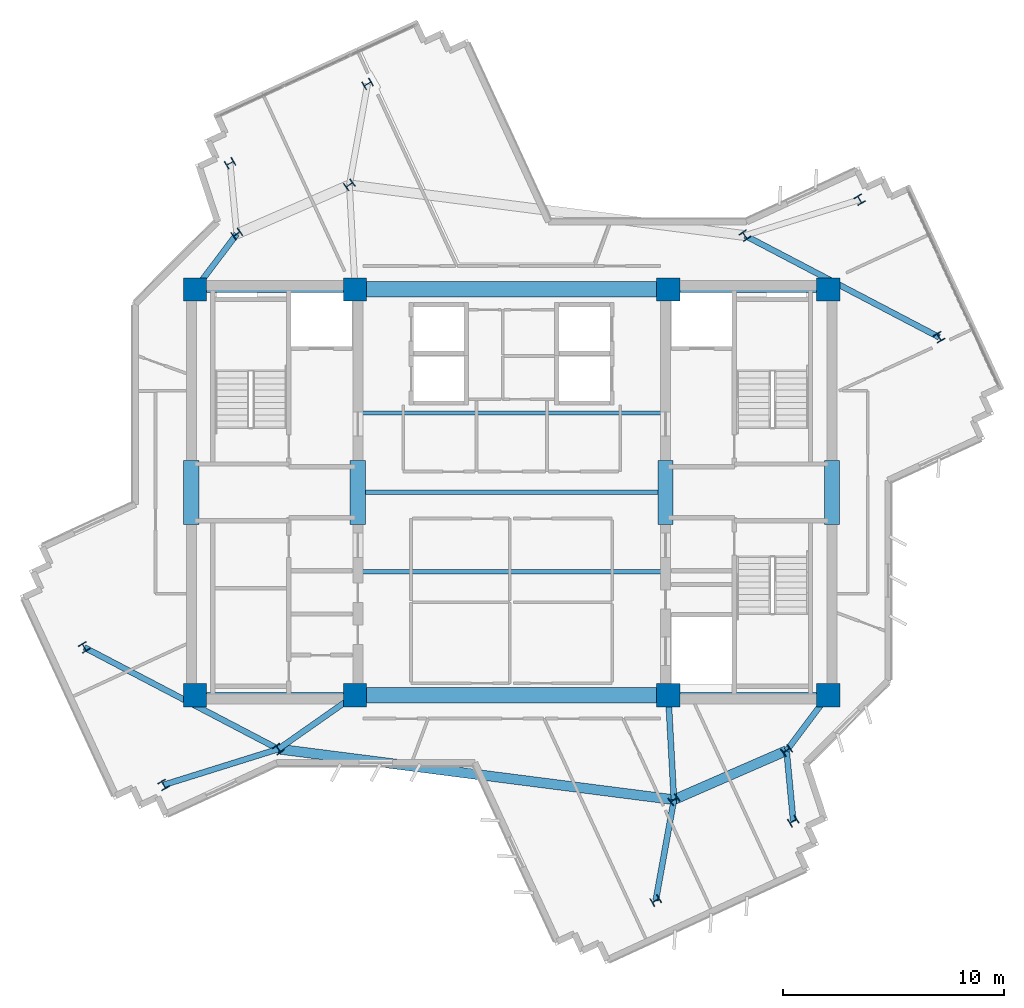
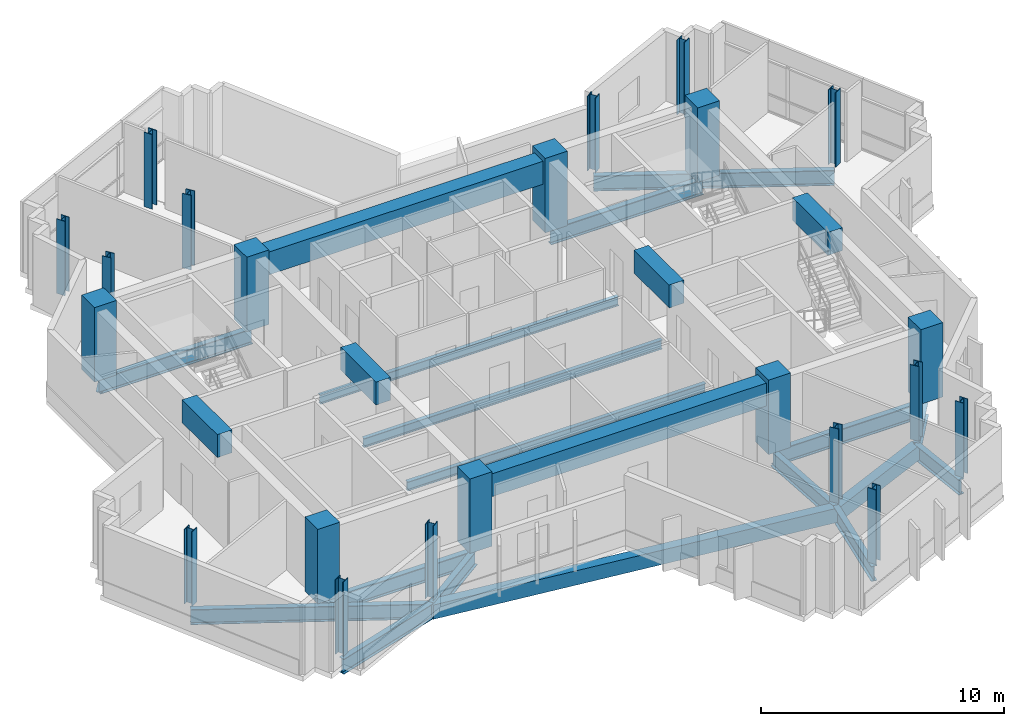
# One storey, part 1 of 12: 24 beams, 22 columns.
"""IFC4 building model written with IfcOpenShell, lengths in metres."""

from ifc_helpers import new_model, si_unit, direction, frame, origin, origin_2d, place, context, subcontext, project, spatial, rectangle, i_section, extrude, source, transform, mapped, material, material_profile, profile_set, type_object, element, save


model = new_model("IFC4")

# Units and contexts
model_context = context("Model", 3, precision=1e-05, world=origin(), true_north=direction((0.0, 1.0)))
body_context = subcontext(model_context, "Body", "Model", "MODEL_VIEW")
ifc_project = project(units=[si_unit("LENGTHUNIT", "METRE"), si_unit("AREAUNIT", "SQUARE_METRE"), si_unit("VOLUMEUNIT", "CUBIC_METRE"), si_unit("PLANEANGLEUNIT", "RADIAN"), si_unit("MASSUNIT", "GRAM", prefix="KILO")], contexts=[model_context])

# Site, building, storey
site_placement = place(None, origin())
site = spatial("IfcSite", under=ifc_project, at=site_placement, CompositionType="ELEMENT")
building_placement = place(site_placement, origin())
building = spatial("IfcBuilding", under=site, at=building_placement, Name="Zahravan Cultural Tower", CompositionType="ELEMENT")
storey_placement = place(building_placement, frame((0.0, 0.0, 242.85009765625)))
storey = spatial("IfcBuildingStorey", under=building, at=storey_placement, Name="L57", CompositionType="ELEMENT", Elevation=242.85009765625)

# Columns
ifc_material_1 = material(Name="Concrete C50/60", Category="concrete")
ifc_material_profile_1 = material_profile(ifc_material_1, rectangle(XDim=1.050048828125, YDim=1.050048828125, at=origin_2d()), Name="RC1050X1050")
ifc_profile_set_1 = profile_set([ifc_material_profile_1], Name="Concrete C50/60")
column_type_1 = type_object("IfcColumnType", Name="COL-RC1050", PredefinedType="COLUMN", material=ifc_profile_set_1)
shared_shape_1 = source(origin(), body_context, "Body", "SweptSolid", [
    extrude(rectangle(XDim=1.050048828125, YDim=1.050048828125, at=origin_2d()), origin(), (0.0, 0.0, 1.0), 3.75),
])
for number, where, z_axis, x_axis, name in (
    (1, (21.64990234375, 17.800048828125, 0.0), (0.0, 0.0, 1.0), (1.0, 0.0, 0.0), "L57 Column CC-W1"),
    (2, (28.89990234375, 17.800048828125, 0.0), (0.0, 0.0, 1.0), (1.0, 0.0, 0.0), "L57 Column CC-W2"),
    (3, (21.64990234375, 36.199951171875, 0.0), (0.0, 0.0, 1.0), (1.0, 0.0, 0.0), "L57 Column CC-W3"),
    (4, (28.89990234375, 36.199951171875, 0.0), (0.0, 0.0, 1.0), (1.0, 0.0, 0.0), "L57 Column CC-W4"),
    (5, (43.10009765625, 17.800048828125, 0.0), (0.0, 0.0, 1.0), (1.0, 0.0, 0.0), "L57 Column CC-E1"),
    (6, (50.35009765625, 17.800048828125, 0.0), (0.0, 0.0, 1.0), (1.0, 0.0, 0.0), "L57 Column CC-E2"),
    (7, (43.10009765625, 36.199951171875, 0.0), (0.0, 0.0, 1.0), (1.0, 0.0, 0.0), "L57 Column CC-E3"),
    (8, (50.35009765625, 36.199951171875, 0.0), (0.0, 0.0, 1.0), (1.0, 0.0, 0.0), "L57 Column CC-E4"),
):
    element("IfcColumn", number, at=place(storey_placement, frame(where, z_axis=z_axis, x_axis=x_axis)), inside=storey, type_object=column_type_1, Name=name, PredefinedType="COLUMN", context=body_context, shape_type="MappedRepresentation", body=[
        mapped(shared_shape_1, transform((0.0, 0.0, 0.0), x_axis=(1.0, 0.0, 0.0), y_axis=(0.0, 1.0, 0.0), z_axis=(0.0, 0.0, 1.0), scale=1.0)),
    ])
ifc_material_2 = material(Name="Steel ASTM A992 Grade 50", Category="steel")
ifc_material_profile_2 = material_profile(ifc_material_2, i_section(OverallWidth=0.39892578125, OverallDepth=0.385986328125, WebThickness=0.02099609375, FlangeThickness=0.033203125, FilletRadius=0.01806640625, at=origin_2d()), Name="W14X176")
ifc_profile_set_2 = profile_set([ifc_material_profile_2], Name="Steel ASTM A992 Grade 50")
column_type_2 = type_object("IfcColumnType", Name="COL-W14X176", PredefinedType="COLUMN", material=ifc_profile_set_2)
shared_shape_2 = source(origin(), body_context, "Body", "SweptSolid", [
    extrude(i_section(OverallWidth=0.39892578125, OverallDepth=0.385986328125, WebThickness=0.02099609375, FlangeThickness=0.033203125, FilletRadius=0.01806640625, at=origin_2d()), origin(), (0.0, 0.0, 1.0), 3.75),
])
for number, where, z_axis, x_axis, name in (
    (9, (46.577880859375, 38.640625, 0.0), (0.0, 0.0, 1.0), (0.809016994375, 0.587785252292, 0.0), "L57 Column Z3C-E2"),
    (10, (28.642578125, 40.937255859375, 0.0), (0.0, 0.0, 1.0), (-0.587785252292, 0.809016994375, 0.0), "L57 Column Z3C-N1"),
    (11, (23.536376953125, 38.710693359375, 0.0), (0.0, 0.0, 1.0), (-0.587785252292, 0.809016994375, 0.0), "L57 Column Z3C-N2"),
    (12, (25.422119140625, 15.359375, 0.0), (0.0, 0.0, 1.0), (0.809016994375, 0.587785252292, 0.0), "L57 Column Z3C-W2"),
    (13, (43.357421875, 13.062744140625, 0.0), (0.0, 0.0, 1.0), (-0.587785252292, 0.809016994375, 0.0), "L57 Column Z3C-S1"),
    (14, (48.463623046875, 15.289306640625, 0.0), (0.0, 0.0, 1.0), (-0.587785252292, 0.809016994375, 0.0), "L57 Column Z3C-S2"),
    (15, (55.38037109375, 34.0322265625, 0.0), (0.0, 0.0, 1.0), (0.866025403784, 0.5, 0.0), "L57 Column Z3T-E1"),
    (16, (51.7802734375, 40.267578125, 0.0), (0.0, 0.0, 1.0), (0.866025403784, 0.5, 0.0), "L57 Column Z3T-E2"),
    (17, (29.4677734375, 45.514404296875, 0.0), (0.0, 0.0, 1.0), (-0.5, 0.866025403784, 0.0), "L57 Column Z3T-N1"),
    (18, (23.232421875, 41.914306640625, 0.0), (0.0, 0.0, 1.0), (-0.5, 0.866025403784, 0.0), "L57 Column Z3T-N2"),
    (19, (16.61962890625, 19.9677734375, 0.0), (0.0, 0.0, 1.0), (0.866025403784, 0.5, 0.0), "L57 Column Z3T-W1"),
    (20, (20.2197265625, 13.732421875, 0.0), (0.0, 0.0, 1.0), (0.866025403784, 0.5, 0.0), "L57 Column Z3T-W2"),
    (21, (42.5322265625, 8.485595703125, 0.0), (0.0, 0.0, 1.0), (-0.5, 0.866025403784, 0.0), "L57 Column Z3T-S1"),
    (22, (48.767578125, 12.085693359375, 0.0), (0.0, 0.0, 1.0), (-0.5, 0.866025403784, 0.0), "L57 Column Z3T-S2"),
):
    element("IfcColumn", number, at=place(storey_placement, frame(where, z_axis=z_axis, x_axis=x_axis)), inside=storey, type_object=column_type_2, Name=name, PredefinedType="COLUMN", context=body_context, shape_type="MappedRepresentation", body=[
        mapped(shared_shape_2, transform((0.0, 0.0, 0.0), x_axis=(1.0, 0.0, 0.0), y_axis=(0.0, 1.0, 0.0), z_axis=(0.0, 0.0, 1.0), scale=1.0)),
    ])

# Beams
ifc_material_profile_3 = material_profile(ifc_material_1, rectangle(XDim=0.699951171875, YDim=1.14990234375, at=origin_2d()), Name="RC700X1150")
ifc_profile_set_3 = profile_set([ifc_material_profile_3], Name="Concrete C50/60")
beam_type_1 = type_object("IfcBeamType", Name="BM-LN-RC700X1150", PredefinedType="LINTEL", material=ifc_profile_set_3)
shared_shape_3 = source(origin(), body_context, "Body", "SweptSolid", [
    extrude(rectangle(XDim=0.699951171875, YDim=1.14990234375, at=origin_2d()), origin(), (0.0, 0.0, 1.0), 14.2001953125),
])
for number, where, z_axis, x_axis, name in (
    (23, (28.89990234375, 17.800048828125, 2.9248046875), (1.0, 0.0, 0.0), (0.0, 1.0, 0.0), "L57 Beam LN-L57-S"),
    (24, (28.89990234375, 36.199951171875, 2.9248046875), (1.0, 0.0, 0.0), (0.0, 1.0, 0.0), "L57 Beam LN-L57-N"),
):
    element("IfcBeam", number, at=place(storey_placement, frame(where, z_axis=z_axis, x_axis=x_axis)), inside=storey, type_object=beam_type_1, Name=name, PredefinedType="LINTEL", context=body_context, shape_type="MappedRepresentation", body=[
        mapped(shared_shape_3, transform((0.0, 0.0, 0.0), x_axis=(1.0, 0.0, 0.0), y_axis=(0.0, 1.0, 0.0), z_axis=(0.0, 0.0, 1.0), scale=1.0)),
    ])
shared_shape_4 = source(origin(), body_context, "Body", "SweptSolid", [
    extrude(rectangle(XDim=0.699951171875, YDim=1.14990234375, at=origin_2d()), origin(), (0.0, 0.0, 1.0), 2.89990234375),
])
for number, where, z_axis, x_axis, name in (
    (25, (21.47509765625, 25.550048828125, 2.9248046875), (0.0, 1.0, 0.0), (-1.0, 0.0, 0.0), "L57 Beam LN-L57-PWW"),
    (26, (29.02490234375, 25.550048828125, 2.9248046875), (0.0, 1.0, 0.0), (-1.0, 0.0, 0.0), "L57 Beam LN-L57-PWE"),
    (27, (42.97509765625, 25.550048828125, 2.9248046875), (0.0, 1.0, 0.0), (-1.0, 0.0, 0.0), "L57 Beam LN-L57-PEW"),
    (28, (50.52490234375, 25.550048828125, 2.9248046875), (0.0, 1.0, 0.0), (-1.0, 0.0, 0.0), "L57 Beam LN-L57-PEE"),
):
    element("IfcBeam", number, at=place(storey_placement, frame(where, z_axis=z_axis, x_axis=x_axis)), inside=storey, type_object=beam_type_1, Name=name, PredefinedType="LINTEL", context=body_context, shape_type="MappedRepresentation", body=[
        mapped(shared_shape_4, transform((0.0, 0.0, 0.0), x_axis=(1.0, 0.0, 0.0), y_axis=(0.0, 1.0, 0.0), z_axis=(0.0, 0.0, 1.0), scale=1.0)),
    ])
ifc_material_profile_4 = material_profile(ifc_material_2, i_section(OverallWidth=0.26611328125, OverallDepth=0.780029296875, WebThickness=0.0166015625, FlangeThickness=0.030029296875, FilletRadius=0.01904296875, at=origin_2d()), Name="W30X148")
ifc_profile_set_4 = profile_set([ifc_material_profile_4], Name="Steel ASTM A992 Grade 50")
beam_type_2 = type_object("IfcBeamType", Name="BM-G-W30X148", PredefinedType="BEAM", material=ifc_profile_set_4)
shared_shape_5 = source(origin(), body_context, "Body", "SweptSolid", [
    extrude(i_section(OverallWidth=0.26611328125, OverallDepth=0.780029296875, WebThickness=0.0166015625, FlangeThickness=0.030029296875, FilletRadius=0.01904296875, at=origin_2d()), origin(), (0.0, 0.0, 1.0), 7.25),
])
for number, where, z_axis, x_axis, name in (
    (29, (21.64990234375, 17.800048828125, -0.64013671875), (1.0, 0.0, 0.0), (0.0, 1.0, 0.0), "L57 Beam BG-L57-01"),
    (30, (21.64990234375, 36.199951171875, -0.64013671875), (1.0, 0.0, 0.0), (0.0, 1.0, 0.0), "L57 Beam BG-L57-02"),
    (31, (43.10009765625, 17.800048828125, -0.64013671875), (1.0, 0.0, 0.0), (0.0, 1.0, 0.0), "L57 Beam BG-L57-04"),
    (32, (43.10009765625, 36.199951171875, -0.64013671875), (1.0, 0.0, 0.0), (0.0, 1.0, 0.0), "L57 Beam BG-L57-05"),
):
    element("IfcBeam", number, at=place(storey_placement, frame(where, z_axis=z_axis, x_axis=x_axis)), inside=storey, type_object=beam_type_2, Name=name, PredefinedType="BEAM", context=body_context, shape_type="MappedRepresentation", body=[
        mapped(shared_shape_5, transform((0.0, 0.0, 0.0), x_axis=(1.0, 0.0, 0.0), y_axis=(0.0, 1.0, 0.0), z_axis=(0.0, 0.0, 1.0), scale=1.0)),
    ])
ifc_material_profile_5 = material_profile(ifc_material_2, i_section(OverallWidth=0.26708984375, OverallDepth=0.761962890625, WebThickness=0.014404296875, FlangeThickness=0.021484375, FilletRadius=0.01904296875, at=origin_2d()), Name="W30X116")
ifc_profile_set_5 = profile_set([ifc_material_profile_5], Name="Steel ASTM A992 Grade 50")
beam_type_3 = type_object("IfcBeamType", Name="BM-G-W30X116", PredefinedType="BEAM", material=ifc_profile_set_5)
shared_shape_6 = source(origin(), body_context, "Body", "SweptSolid", [
    extrude(i_section(OverallWidth=0.26708984375, OverallDepth=0.761962890625, WebThickness=0.014404296875, FlangeThickness=0.021484375, FilletRadius=0.01904296875, at=origin_2d()), origin(), (0.0, 0.0, 1.0), 4.248779296875),
])
beam_1_placement = place(storey_placement, frame((28.89990234375, 17.800048828125, -0.631103515625), z_axis=(-0.81854294596, -0.574445337365, 0.0), x_axis=(0.574445337365, -0.81854294596, 0.0)))
element("IfcBeam", 33, at=beam_1_placement, inside=storey, type_object=beam_type_3, Name="L57 Beam BG-L57-07", PredefinedType="BEAM", context=body_context, shape_type="MappedRepresentation", body=[
    mapped(shared_shape_6, transform((0.0, 0.0, 0.0), x_axis=(1.0, 0.0, 0.0), y_axis=(0.0, 1.0, 0.0), z_axis=(0.0, 0.0, 1.0), scale=1.0)),
])
shared_shape_7 = source(origin(), body_context, "Body", "SweptSolid", [
    extrude(i_section(OverallWidth=0.26708984375, OverallDepth=0.761962890625, WebThickness=0.014404296875, FlangeThickness=0.021484375, FilletRadius=0.01904296875, at=origin_2d()), origin(), (0.0, 0.0, 1.0), 4.744384765625),
])
beam_2_placement = place(storey_placement, frame((43.10009765625, 17.800048828125, -0.631103515625), z_axis=(0.054238739845, -0.998527996152, 0.0), x_axis=(0.998527996152, 0.054238739845, 0.0)))
element("IfcBeam", 34, at=beam_2_placement, inside=storey, type_object=beam_type_3, Name="L57 Beam BG-L57-08", PredefinedType="BEAM", context=body_context, shape_type="MappedRepresentation", body=[
    mapped(shared_shape_7, transform((0.0, 0.0, 0.0), x_axis=(1.0, 0.0, 0.0), y_axis=(0.0, 1.0, 0.0), z_axis=(0.0, 0.0, 1.0), scale=1.0)),
])
shared_shape_8 = source(origin(), body_context, "Body", "SweptSolid", [
    extrude(i_section(OverallWidth=0.26708984375, OverallDepth=0.761962890625, WebThickness=0.014404296875, FlangeThickness=0.021484375, FilletRadius=0.01904296875, at=origin_2d()), origin(), (0.0, 0.0, 1.0), 3.140380859375),
])
for number, where, z_axis, x_axis, name in (
    (35, (50.35009765625, 17.800048828125, -0.631103515625), (-0.600696322208, -0.799477284534, 0.0), (0.799477284534, -0.600696322208, 0.0), "L57 Beam BG-L57-09"),
    (36, (21.64990234375, 36.199951171875, -0.631103515625), (0.600696322208, 0.799477284534, 0.0), (-0.799477284534, 0.600696322208, 0.0), "L57 Beam BG-L57-11"),
):
    element("IfcBeam", number, at=place(storey_placement, frame(where, z_axis=z_axis, x_axis=x_axis)), inside=storey, type_object=beam_type_3, Name=name, PredefinedType="BEAM", context=body_context, shape_type="MappedRepresentation", body=[
        mapped(shared_shape_8, transform((0.0, 0.0, 0.0), x_axis=(1.0, 0.0, 0.0), y_axis=(0.0, 1.0, 0.0), z_axis=(0.0, 0.0, 1.0), scale=1.0)),
    ])
shared_shape_9 = source(origin(), body_context, "Body", "SweptSolid", [
    extrude(i_section(OverallWidth=0.26708984375, OverallDepth=0.761962890625, WebThickness=0.014404296875, FlangeThickness=0.021484375, FilletRadius=0.01904296875, at=origin_2d()), origin(), (0.0, 0.0, 1.0), 9.935791015625),
])
for number, where, z_axis, x_axis, name in (
    (37, (46.577880859375, 38.640625, -0.631103515625), (0.885932031042, -0.463815088558, 0.0), (0.463815088558, 0.885932031042, 0.0), "L57 Beam BG-L57-12"),
    (38, (25.422119140625, 15.359375, -0.631103515625), (-0.885932031042, 0.463815088558, 0.0), (-0.463815088558, -0.885932031042, 0.0), "L57 Beam BG-L57-16"),
):
    element("IfcBeam", number, at=place(storey_placement, frame(where, z_axis=z_axis, x_axis=x_axis)), inside=storey, type_object=beam_type_3, Name=name, PredefinedType="BEAM", context=body_context, shape_type="MappedRepresentation", body=[
        mapped(shared_shape_9, transform((0.0, 0.0, 0.0), x_axis=(1.0, 0.0, 0.0), y_axis=(0.0, 1.0, 0.0), z_axis=(0.0, 0.0, 1.0), scale=1.0)),
    ])
shared_shape_10 = source(origin(), body_context, "Body", "SweptSolid", [
    extrude(i_section(OverallWidth=0.26708984375, OverallDepth=0.761962890625, WebThickness=0.014404296875, FlangeThickness=0.021484375, FilletRadius=0.01904296875, at=origin_2d()), origin(), (0.0, 0.0, 1.0), 5.450927734375),
])
beam_3_placement = place(storey_placement, frame((25.422119140625, 15.359375, -0.631103515625), z_axis=(-0.954416996605, -0.298476459025, 0.0), x_axis=(0.298476459025, -0.954416996605, 0.0)))
element("IfcBeam", 39, at=beam_3_placement, inside=storey, type_object=beam_type_3, Name="L57 Beam BG-L57-17", PredefinedType="BEAM", context=body_context, shape_type="MappedRepresentation", body=[
    mapped(shared_shape_10, transform((0.0, 0.0, 0.0), x_axis=(1.0, 0.0, 0.0), y_axis=(0.0, 1.0, 0.0), z_axis=(0.0, 0.0, 1.0), scale=1.0)),
])
shared_shape_11 = source(origin(), body_context, "Body", "SweptSolid", [
    extrude(i_section(OverallWidth=0.26708984375, OverallDepth=0.761962890625, WebThickness=0.014404296875, FlangeThickness=0.021484375, FilletRadius=0.01904296875, at=origin_2d()), origin(), (0.0, 0.0, 1.0), 4.65087890625),
])
beam_4_placement = place(storey_placement, frame((43.357421875, 13.062744140625, -0.631103515625), z_axis=(-0.177425522697, -0.984134230629, 0.0), x_axis=(0.984134230629, -0.177425522697, 0.0)))
element("IfcBeam", 40, at=beam_4_placement, inside=storey, type_object=beam_type_3, Name="L57 Beam BG-L57-18", PredefinedType="BEAM", context=body_context, shape_type="MappedRepresentation", body=[
    mapped(shared_shape_11, transform((0.0, 0.0, 0.0), x_axis=(1.0, 0.0, 0.0), y_axis=(0.0, 1.0, 0.0), z_axis=(0.0, 0.0, 1.0), scale=1.0)),
])
shared_shape_12 = source(origin(), body_context, "Body", "SweptSolid", [
    extrude(i_section(OverallWidth=0.26708984375, OverallDepth=0.761962890625, WebThickness=0.014404296875, FlangeThickness=0.021484375, FilletRadius=0.01904296875, at=origin_2d()), origin(), (0.0, 0.0, 1.0), 3.218017578125),
])
beam_5_placement = place(storey_placement, frame((48.463623046875, 15.289306640625, -0.631103515625), z_axis=(0.094454641962, -0.995529166128, 0.0), x_axis=(0.995529166128, 0.094454641962, 0.0)))
element("IfcBeam", 41, at=beam_5_placement, inside=storey, type_object=beam_type_3, Name="L57 Beam BG-L57-19", PredefinedType="BEAM", context=body_context, shape_type="MappedRepresentation", body=[
    mapped(shared_shape_12, transform((0.0, 0.0, 0.0), x_axis=(1.0, 0.0, 0.0), y_axis=(0.0, 1.0, 0.0), z_axis=(0.0, 0.0, 1.0), scale=1.0)),
])
ifc_material_3 = material(Name="Concrete C45/55", Category="concrete")
ifc_material_profile_6 = material_profile(ifc_material_3, rectangle(XDim=0.449951171875, YDim=0.719970703125, at=origin_2d()), Name="RC450X720")
ifc_profile_set_6 = profile_set([ifc_material_profile_6], Name="Concrete C45/55")
beam_type_4 = type_object("IfcBeamType", Name="BM-SP-RC450X720", PredefinedType="SPANDREL", material=ifc_profile_set_6)
shared_shape_13 = source(origin(), body_context, "Body", "SweptSolid", [
    extrude(rectangle(XDim=0.449951171875, YDim=0.719970703125, at=origin_2d()), origin(), (0.0, 0.0, 1.0), 18.081787109375),
])
beam_6_placement = place(storey_placement, frame((25.422119140625, 15.359375, -0.610107421875), z_axis=(0.991900954377, -0.127013765812, 0.0), x_axis=(0.127013765812, 0.991900954377, 0.0)))
element("IfcBeam", 42, at=beam_6_placement, inside=storey, type_object=beam_type_4, Name="L57 Beam SP-L57-20", PredefinedType="SPANDREL", context=body_context, shape_type="MappedRepresentation", body=[
    mapped(shared_shape_13, transform((0.0, 0.0, 0.0), x_axis=(1.0, 0.0, 0.0), y_axis=(0.0, 1.0, 0.0), z_axis=(0.0, 0.0, 1.0), scale=1.0)),
])
shared_shape_14 = source(origin(), body_context, "Body", "SweptSolid", [
    extrude(rectangle(XDim=0.449951171875, YDim=0.719970703125, at=origin_2d()), origin(), (0.0, 0.0, 1.0), 5.570556640625),
])
beam_7_placement = place(storey_placement, frame((43.357421875, 13.062744140625, -0.610107421875), z_axis=(0.9166445026, 0.399703459896, 0.0), x_axis=(-0.399703459896, 0.9166445026, 0.0)))
element("IfcBeam", 43, at=beam_7_placement, inside=storey, type_object=beam_type_4, Name="L57 Beam SP-L57-21", PredefinedType="SPANDREL", context=body_context, shape_type="MappedRepresentation", body=[
    mapped(shared_shape_14, transform((0.0, 0.0, 0.0), x_axis=(1.0, 0.0, 0.0), y_axis=(0.0, 1.0, 0.0), z_axis=(0.0, 0.0, 1.0), scale=1.0)),
])
ifc_material_profile_7 = material_profile(ifc_material_2, i_section(OverallWidth=0.18994140625, OverallDepth=0.45703125, WebThickness=0.009033203125, FlangeThickness=0.014404296875, FilletRadius=0.012939453125, at=origin_2d()), Name="W18X50")
ifc_profile_set_7 = profile_set([ifc_material_profile_7], Name="Steel ASTM A992 Grade 50")
beam_type_5 = type_object("IfcBeamType", Name="BM-J-W18X50", PredefinedType="JOIST", material=ifc_profile_set_7)
shared_shape_15 = source(origin(), body_context, "Body", "SweptSolid", [
    extrude(i_section(OverallWidth=0.18994140625, OverallDepth=0.45703125, WebThickness=0.009033203125, FlangeThickness=0.014404296875, FilletRadius=0.012939453125, at=origin_2d()), origin(), (0.0, 0.0, 1.0), 14.2001953125),
])
for number, where, z_axis, x_axis, name in (
    (44, (28.89990234375, 23.39990234375, -0.478515625), (1.0, 0.0, 0.0), (0.0, 1.0, 0.0), "L57 Beam BJ-L57-24"),
    (45, (28.89990234375, 27.0, -0.478515625), (1.0, 0.0, 0.0), (0.0, 1.0, 0.0), "L57 Beam BJ-L57-25"),
    (46, (28.89990234375, 30.60009765625, -0.478515625), (1.0, 0.0, 0.0), (0.0, 1.0, 0.0), "L57 Beam BJ-L57-26"),
):
    element("IfcBeam", number, at=place(storey_placement, frame(where, z_axis=z_axis, x_axis=x_axis)), inside=storey, type_object=beam_type_5, Name=name, PredefinedType="JOIST", context=body_context, shape_type="MappedRepresentation", body=[
        mapped(shared_shape_15, transform((0.0, 0.0, 0.0), x_axis=(1.0, 0.0, 0.0), y_axis=(0.0, 1.0, 0.0), z_axis=(0.0, 0.0, 1.0), scale=1.0)),
    ])

save(model, "model.ifc")
